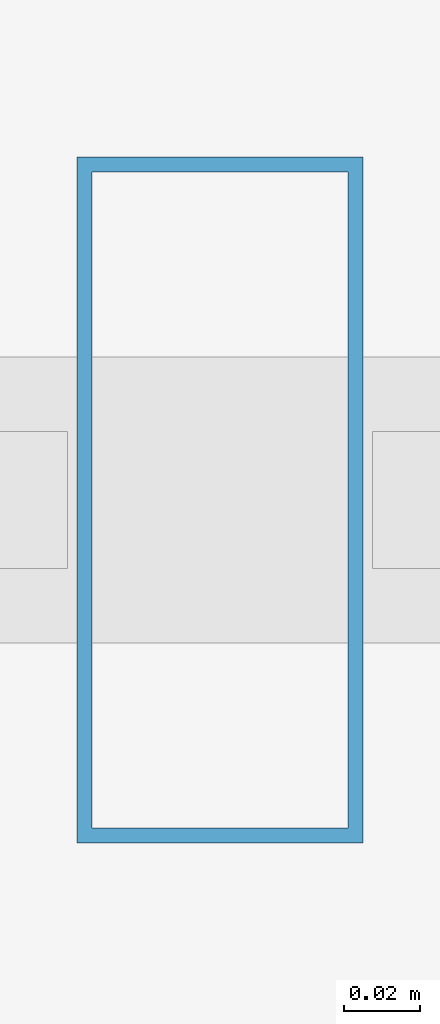
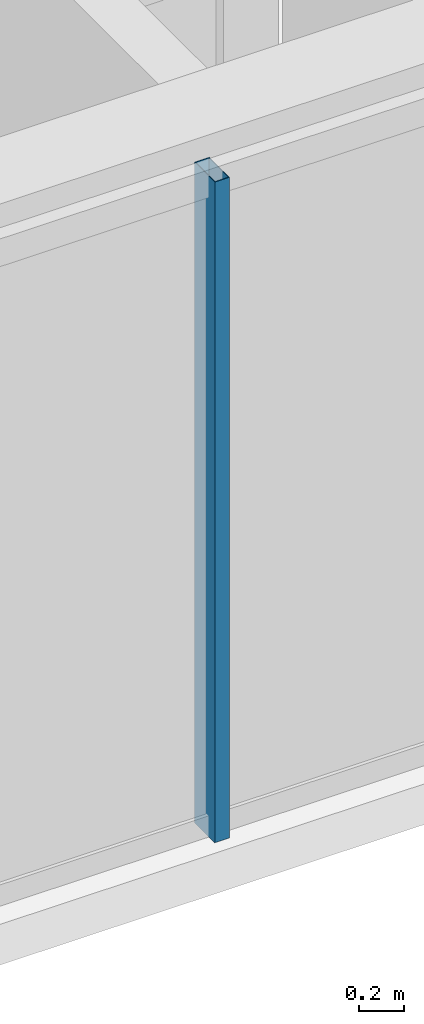
# One storey, part 3 of 33: 1 member, 1 element without a shape of its own.
"""IFC4 building model written with IfcOpenShell, lengths in metres."""

from ifc_helpers import new_model, si_unit, direction, frame, origin, origin_2d, place, context, subcontext, project, spatial, hollow_rectangle, extrude, material, layer, layer_set, material_profile, profile_set, type_object, element, aggregate, save


model = new_model("IFC4")

# Units and contexts
model_context = context("Model", 3, precision=1e-05, world=origin(), true_north=direction((0.0, 1.0)))
body_context = subcontext(model_context, "Body", "Model", "MODEL_VIEW")
ifc_project = project(units=[si_unit("LENGTHUNIT", "METRE"), si_unit("AREAUNIT", "SQUARE_METRE"), si_unit("VOLUMEUNIT", "CUBIC_METRE"), si_unit("PLANEANGLEUNIT", "RADIAN"), si_unit("MASSUNIT", "GRAM", prefix="KILO")], contexts=[model_context])

# Site, building, storey
site_placement = place(None, origin())
site = spatial("IfcSite", under=ifc_project, at=site_placement, CompositionType="ELEMENT")
building_placement = place(site_placement, origin())
building = spatial("IfcBuilding", under=site, at=building_placement, Name="Ndaravel Arena Tower", CompositionType="ELEMENT")
storey_placement = place(building_placement, frame((0.0, 0.0, 81.60009765625)))
storey = spatial("IfcBuildingStorey", under=building, at=storey_placement, Name="L18", CompositionType="ELEMENT", Elevation=81.60009765625)

# Curtain wall, member
ifc_material_1 = material(Name="Aluminium", Category="aluminium")
ifc_layer = layer(ifc_material_1, 0.179931640625)
ifc_layer_set = layer_set([ifc_layer], Name="Aluminium")
curtain_wall_type = type_object("IfcCurtainWallType", Name="CW-SYS-03", PredefinedType="NOTDEFINED", material=ifc_layer_set)
curtain_wall_placement = place(storey_placement, origin())
curtain_wall = element("IfcCurtainWall", 1, at=curtain_wall_placement, inside=storey, type_object=curtain_wall_type, Name="L18 Faceted Crystal Curtain Wall CW-L18-E01", PredefinedType="NOTDEFINED")
ifc_material_2 = material(Name="Aluminium", Category="aluminium")
ifc_material_profile = material_profile(ifc_material_2, hollow_rectangle(XDim=0.074951171875, YDim=0.179931640625, WallThickness=0.00390625, at=origin_2d()), Name="CW MULLION 75x180x4")
ifc_profile_set = profile_set([ifc_material_profile], Name="Aluminium")
member_type = type_object("IfcMemberType", Name="MEM-CW-MUL180", PredefinedType="MULLION", material=ifc_profile_set)
member_placement = place(storey_placement, frame((30.350830078125, 5.159912109375, 0.0), z_axis=(0.0, 0.0, 1.0), x_axis=(1.0, 0.0, 0.0)))
member = element("IfcMember", 2, at=member_placement, type_object=member_type, Name="CW-L18-E01 Mullion 01", PredefinedType="MULLION", context=body_context, shape_type="SweptSolid", body=[
    extrude(hollow_rectangle(XDim=0.074951171875, YDim=0.179931640625, WallThickness=0.00390625, at=origin_2d()), origin(), (0.0, 0.0, 1.0), 3.579833984375),
])
aggregate(curtain_wall, [member])

save(model, "model.ifc")
